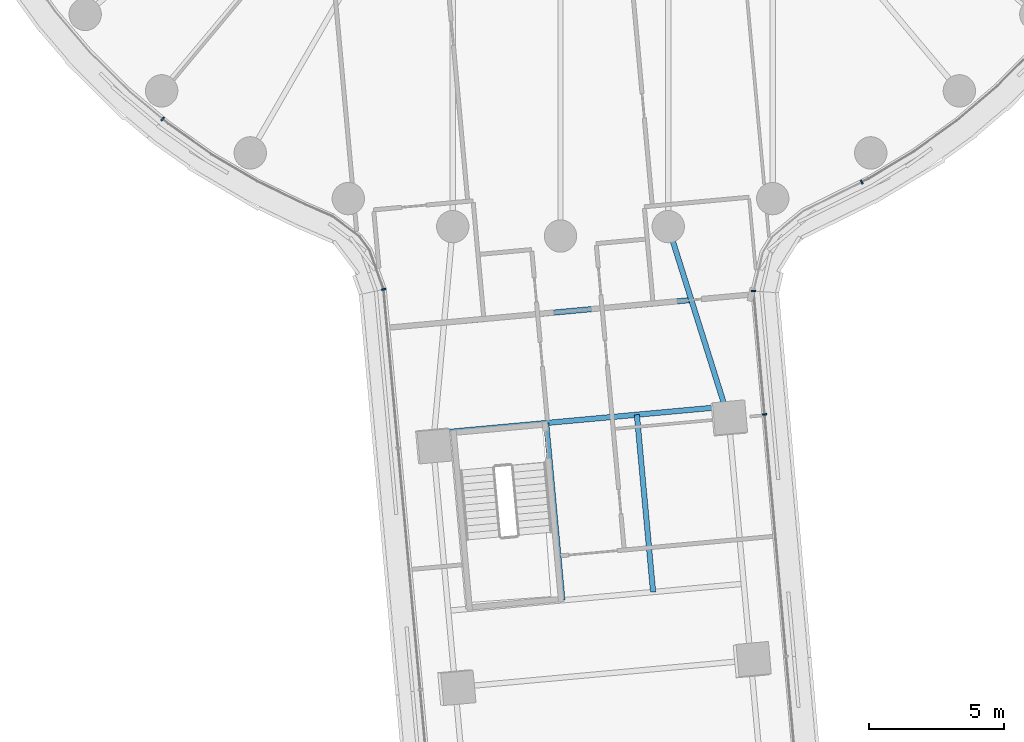
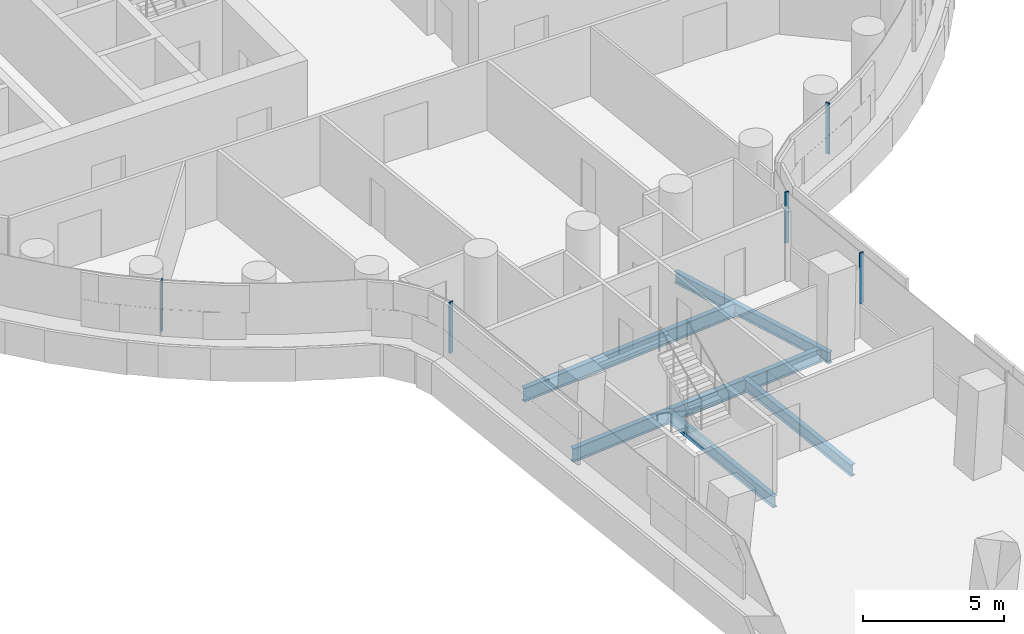
# One storey, part 3 of 31: 5 beams, 5 members, 4 elements without a shape of their own.
"""IFC4 building model written with IfcOpenShell, lengths in metres."""

import ifcopenshell
import ifcopenshell.guid

model = None  # the IFC model being written
_history = None  # IfcOwnerHistory: only IFC2X3 demands one
_inside = {}  # id of a spatial element -> (the spatial element, [elements in it])
_under = {}  # id of a project, library or spatial element -> (it, [spatial elements below it])
_declared = {}  # id of a project -> (the project, [libraries it declares])
_typed = {}  # id of a type object -> (the type object, [elements of that type])
_made_of = {}  # id of a material, layer set ... -> (it, [elements and type objects made of it])


def new_model(schema):
    """Start an empty IFC model of exactly this schema.

    Asked for "IFC4X3", IfcOpenShell would pick the latest addendum, in which some entities
    have other attributes; the version numbers below select the first issue.
    IFC2X3 requires an IfcOwnerHistory on every rooted entity: one is made here for all.
    """
    global model, _history
    if schema == "IFC4X3":
        model = ifcopenshell.file(schema_version=(4, 3, 0, 0))
    else:
        model = ifcopenshell.file(schema=schema)
    _inside.clear()
    _under.clear()
    _declared.clear()
    _typed.clear()
    _made_of.clear()
    _history = None
    if model.schema == "IFC2X3":
        org = make("IfcOrganization", Name="unknown")
        user = make(
            "IfcPersonAndOrganization",
            ThePerson=make("IfcPerson", FamilyName="unknown"),
            TheOrganization=org,
        )
        app = make(
            "IfcApplication",
            ApplicationDeveloper=org,
            Version="unknown",
            ApplicationFullName="unknown",
            ApplicationIdentifier="unknown",
        )
        _history = make(
            "IfcOwnerHistory",
            OwningUser=user,
            OwningApplication=app,
            ChangeAction="ADDED",
            CreationDate=0,
        )
    return model


def make(cls, **values):
    """One entity of the class cls with the attributes given. An attribute that is None is left unset."""
    return model.create_entity(
        cls, **{name: value for name, value in values.items() if value is not None}
    )


def rooted(cls, **values):
    """An entity with a GlobalId (a new one), such as an element, a storey or a relation."""
    return make(cls, GlobalId=ifcopenshell.guid.new(), OwnerHistory=_history, **values)


def si_unit(unit_type, name, prefix=None):
    """IfcSIUnit, for example si_unit("LENGTHUNIT", "METRE", prefix="MILLI")."""
    return make("IfcSIUnit", UnitType=unit_type, Prefix=prefix, Name=name)


def assignment(units):
    """IfcUnitAssignment: the units of a project."""
    return None if units is None else make("IfcUnitAssignment", Units=units)


def point(xyz):
    """IfcCartesianPoint."""
    return None if xyz is None else make("IfcCartesianPoint", Coordinates=xyz)


def direction(xyz):
    """IfcDirection."""
    return None if xyz is None else make("IfcDirection", DirectionRatios=xyz)


def frame(location, z_axis=None, x_axis=None):
    """IfcAxis2Placement3D, a coordinate frame: its origin and axes. An axis left out is left unset."""
    return make(
        "IfcAxis2Placement3D",
        Location=point(location),
        Axis=direction(z_axis),
        RefDirection=direction(x_axis),
    )


def frame_2d(location, x_axis=None):
    """IfcAxis2Placement2D, a coordinate frame in the plane: its origin and x axis."""
    return make(
        "IfcAxis2Placement2D", Location=point(location), RefDirection=direction(x_axis)
    )


def origin():
    """The frame at (0, 0, 0) with its axes left unset."""
    return frame((0.0, 0.0, 0.0))


def origin_2d():
    """The frame at (0, 0) in the plane with its x axis left unset."""
    return frame_2d((0.0, 0.0))


def place(relative_to, where):
    """IfcLocalPlacement: puts the frame where relative to a parent placement (None: the world)."""
    return make(
        "IfcLocalPlacement", PlacementRelTo=relative_to, RelativePlacement=where
    )


def context(
    kind, dimensions, precision=None, world=None, true_north=None, identifier=None
):
    """IfcGeometricRepresentationContext, for example the 3D "Model" context."""
    return make(
        "IfcGeometricRepresentationContext",
        ContextIdentifier=identifier,
        ContextType=kind,
        CoordinateSpaceDimension=dimensions,
        Precision=precision,
        WorldCoordinateSystem=world,
        TrueNorth=true_north,
    )


def subcontext(parent, identifier, kind, view, scale=None):
    """IfcGeometricRepresentationSubContext, for example "Body" below "Model"."""
    return make(
        "IfcGeometricRepresentationSubContext",
        ContextIdentifier=identifier,
        ContextType=kind,
        ParentContext=parent,
        TargetScale=scale,
        TargetView=view,
    )


def project(units=None, contexts=None):
    """IfcProject with its units and contexts."""
    return rooted(
        "IfcProject",
        Name="project",
        RepresentationContexts=contexts,
        UnitsInContext=assignment(units),
    )


def spatial(cls, under=None, at=None, **own):
    """A site, building, storey or space (cls), placed at a placement, below another one or the project."""
    s = rooted(cls, ObjectPlacement=at, **own)
    if under is not None:
        _under.setdefault(under.id(), (under, []))[1].append(s)
    return s


def profile(cls, at=None, kind="AREA", **sizes):
    """A parametric profile (cls). Its sizes go by their IFC names, for example OverallWidth=200.0."""
    return make(cls, ProfileType=kind, Position=at, **sizes)


def rectangle(**sizes):
    """IfcRectangleProfileDef."""
    return profile("IfcRectangleProfileDef", **sizes)


def i_section(**sizes):
    """IfcIShapeProfileDef."""
    return profile("IfcIShapeProfileDef", **sizes)


def extrude(swept, where, along, depth):
    """IfcExtrudedAreaSolid: the profile swept, set in the frame where, extruded along a direction by depth."""
    return make(
        "IfcExtrudedAreaSolid",
        SweptArea=swept,
        Position=where,
        ExtrudedDirection=direction(along),
        Depth=depth,
    )


def shape(context_of_items, identifier, shape_type, items):
    """IfcShapeRepresentation: the items that make up one representation, for example the "Body"."""
    return make(
        "IfcShapeRepresentation",
        ContextOfItems=context_of_items,
        RepresentationIdentifier=identifier,
        RepresentationType=shape_type,
        Items=items,
    )


def material(Name=None, Category=None):
    """IfcMaterial."""
    return make("IfcMaterial", Name=Name, Category=Category)


def layer(
    of_material, thickness, ventilated=None, Name=None, Category=None, Priority=None
):
    """IfcMaterialLayer: one layer of a wall or slab, of a material (None: an air gap)."""
    return make(
        "IfcMaterialLayer",
        Material=of_material,
        LayerThickness=thickness,
        IsVentilated=ventilated,
        Name=Name,
        Category=Category,
        Priority=Priority,
    )


def layer_set(layers, Name=None):
    """IfcMaterialLayerSet."""
    return make("IfcMaterialLayerSet", MaterialLayers=layers, LayerSetName=Name)


def material_profile(
    of_material, cross_section, Name=None, Category=None, Priority=None
):
    """IfcMaterialProfile: a cross section and its material."""
    return make(
        "IfcMaterialProfile",
        Name=Name,
        Material=of_material,
        Profile=cross_section,
        Priority=Priority,
        Category=Category,
    )


def profile_set(profiles, Name=None, composite=None):
    """IfcMaterialProfileSet."""
    return make(
        "IfcMaterialProfileSet",
        Name=Name,
        MaterialProfiles=profiles,
        CompositeProfile=composite,
    )


def made_of(thing, what):
    """Note that an element or type object is made of a material, layer set ...; save() writes the relation."""
    if what is not None:
        _made_of.setdefault(what.id(), (what, []))[1].append(thing)
    return thing


def type_object(cls, material=None, **own):
    """A type object (cls), such as IfcWallType, which elements share."""
    return made_of(rooted(cls, **own), material)


def element(
    cls,
    number,
    at=None,
    inside=None,
    cuts=None,
    type_object=None,
    material=None,
    context=None,
    identifier="Body",
    shape_type=None,
    held_by="IfcProductDefinitionShape",
    body=None,
    shapes=None,
    **own,
):
    """One element of the class cls, such as IfcWall. Its Tag is "e" and its number.

    at: its placement. inside: the storey or other place that contains it. cuts: it is an
    opening in that element (IfcRelVoidsElement). A single representation is given by context,
    identifier, shape_type and body (its items); several are given by shapes. held_by: the class
    of the entity that holds the representations. save() writes the other relations.
    """
    e = rooted(cls, Tag="e%d" % number, ObjectPlacement=at, **own)
    if body is not None:
        shapes = [shape(context, identifier, shape_type, body)]
    if shapes is not None:
        e.Representation = make(held_by, Representations=shapes)
    if inside is not None:
        _inside.setdefault(inside.id(), (inside, []))[1].append(e)
    if cuts is not None:
        rooted(
            "IfcRelVoidsElement", RelatingBuildingElement=cuts, RelatedOpeningElement=e
        )
    if type_object is not None:
        _typed.setdefault(type_object.id(), (type_object, []))[1].append(e)
    return made_of(e, material)


def aggregate(whole, parts):
    """IfcRelAggregates: a whole, such as a stair, and the parts it consists of."""
    return rooted("IfcRelAggregates", RelatingObject=whole, RelatedObjects=parts)


def save(model, path):
    """Write the relations noted so far, then the file.

    IfcRelAggregates (storeys below a building ...), IfcRelContainedInSpatialStructure (elements
    in a storey), IfcRelDefinesByType, IfcRelAssociatesMaterial and IfcRelDeclares: one each for
    every whole, place, type object, material and project.
    """
    for whole, parts in _under.values():
        aggregate(whole, parts)
    for where, things in _inside.values():
        rooted(
            "IfcRelContainedInSpatialStructure",
            RelatedElements=things,
            RelatingStructure=where,
        )
    for kind, things in _typed.values():
        rooted("IfcRelDefinesByType", RelatedObjects=things, RelatingType=kind)
    for what, things in _made_of.values():
        rooted("IfcRelAssociatesMaterial", RelatedObjects=things, RelatingMaterial=what)
    for by, libraries in _declared.values():
        rooted("IfcRelDeclares", RelatingContext=by, RelatedDefinitions=libraries)
    model.write(path)


model = new_model("IFC4")

# Units and contexts
model_context = context("Model", 3, precision=1e-05, world=origin(), true_north=direction((0.0, 1.0)))
body_context = subcontext(model_context, "Body", "Model", "MODEL_VIEW")
ifc_project = project(units=[si_unit("LENGTHUNIT", "METRE"), si_unit("AREAUNIT", "SQUARE_METRE"), si_unit("VOLUMEUNIT", "CUBIC_METRE"), si_unit("PLANEANGLEUNIT", "RADIAN"), si_unit("MASSUNIT", "GRAM", prefix="KILO")], contexts=[model_context])

# Site, building, storey
site_placement = place(None, origin())
site = spatial("IfcSite", under=ifc_project, at=site_placement, CompositionType="ELEMENT")
building_placement = place(site_placement, origin())
building = spatial("IfcBuilding", under=site, at=building_placement, Name="Tamarind Cross Interchange Tower", CompositionType="ELEMENT")
storey_placement = place(building_placement, frame((0.0, 0.0, 52.75)))
storey = spatial("IfcBuildingStorey", under=building, at=storey_placement, Name="L11", CompositionType="ELEMENT", Elevation=52.75)

# Beams
ifc_material_1 = material(Name="Steel Q355B", Category="steel")
ifc_material_profile_1 = material_profile(ifc_material_1, i_section(OverallWidth=0.198974609375, OverallDepth=0.49609375, WebThickness=0.009033203125, FlangeThickness=0.013916015625, FilletRadius=0.012939453125, at=origin_2d()), Name="HN 496x199x9x14")
ifc_profile_set_1 = profile_set([ifc_material_profile_1], Name="Steel Q355B")
beam_type_1 = type_object("IfcBeamType", Name="Composite beam HN 496x199x9x14 Q355B", PredefinedType="BEAM", material=ifc_profile_set_1)
beam_1_placement = place(storey_placement, frame((6.23291015625, -29.7646484375, -0.387939453125), z_axis=(-0.300214725081, 0.953871646945, 0.0), x_axis=(-0.953871646945, -0.300214725081, 0.0)))
element("IfcBeam", 1, at=beam_1_placement, inside=storey, type_object=beam_type_1, Name="Beam S-linkep", PredefinedType="BEAM", context=body_context, shape_type="SweptSolid", body=[
    extrude(i_section(OverallWidth=0.198974609375, OverallDepth=0.49609375, WebThickness=0.009033203125, FlangeThickness=0.013916015625, FilletRadius=0.012939453125, at=origin_2d()), origin(), (0.0, 0.0, 1.0), 7.4580078125),
])
beam_2_placement = place(storey_placement, frame((-0.530029296875, -29.93115234375, -0.387939453125), z_axis=(0.091032675757, -0.99584790603, 0.0), x_axis=(0.99584790603, 0.091032675757, 0.0)))
element("IfcBeam", 2, at=beam_2_placement, inside=storey, type_object=beam_type_1, Name="Beam S-tr1", PredefinedType="BEAM", context=body_context, shape_type="SweptSolid", body=[
    extrude(i_section(OverallWidth=0.198974609375, OverallDepth=0.49609375, WebThickness=0.009033203125, FlangeThickness=0.013916015625, FilletRadius=0.012939453125, at=origin_2d()), origin(), (0.0, 0.0, 1.0), 6.60009765625),
])
beam_3_placement = place(storey_placement, frame((2.830810546875, -29.6240234375, -0.387939453125), z_axis=(0.091072713933, -0.99584424524, 0.0), x_axis=(0.99584424524, 0.091072713933, 0.0)))
element("IfcBeam", 3, at=beam_3_placement, inside=storey, type_object=beam_type_1, Name="Beam S-stripp", PredefinedType="BEAM", context=body_context, shape_type="SweptSolid", body=[
    extrude(i_section(OverallWidth=0.198974609375, OverallDepth=0.49609375, WebThickness=0.009033203125, FlangeThickness=0.013916015625, FilletRadius=0.012939453125, at=origin_2d()), origin(), (0.0, 0.0, 1.0), 6.599853515625),
])
ifc_material_profile_2 = material_profile(ifc_material_1, i_section(OverallWidth=0.199951171875, OverallDepth=0.60009765625, WebThickness=0.010986328125, FlangeThickness=0.01708984375, FilletRadius=0.012939453125, at=origin_2d()), Name="HN 600x200x11x17")
ifc_profile_set_2 = profile_set([ifc_material_profile_2], Name="Steel Q355B")
beam_type_2 = type_object("IfcBeamType", Name="Composite beam HN 600x200x11x17 Q355B", PredefinedType="BEAM", material=ifc_profile_set_2)
beam_4_placement = place(storey_placement, frame((-4.6806640625, -30.310791015625, -0.43994140625), z_axis=(0.995844980708, 0.091064671518, 0.0), x_axis=(-0.091064671518, 0.995844980708, 0.0)))
element("IfcBeam", 4, at=beam_4_placement, inside=storey, type_object=beam_type_2, Name="Beam S-x298", PredefinedType="BEAM", context=body_context, shape_type="SweptSolid", body=[
    extrude(i_section(OverallWidth=0.199951171875, OverallDepth=0.60009765625, WebThickness=0.010986328125, FlangeThickness=0.01708984375, FilletRadius=0.012939453125, at=origin_2d()), origin(), (0.0, 0.0, 1.0), 10.8203125),
])
beam_5_placement = place(storey_placement, frame((-4.31298828125, -26.210205078125, -0.43994140625), z_axis=(0.995845660591, 0.091057236296, 0.0), x_axis=(-0.091057236296, 0.995845660591, 0.0)))
element("IfcBeam", 5, at=beam_5_placement, inside=storey, type_object=beam_type_2, Name="Beam S-x258", PredefinedType="BEAM", context=body_context, shape_type="SweptSolid", body=[
    extrude(i_section(OverallWidth=0.199951171875, OverallDepth=0.60009765625, WebThickness=0.010986328125, FlangeThickness=0.01708984375, FilletRadius=0.012939453125, at=origin_2d()), origin(), (0.0, 0.0, 1.0), 9.201904296875),
])

# Curtain wall, member
ifc_material_2 = material(Name="Aluminium 6063-T6", Category="aluminium")
ifc_layer = layer(ifc_material_2, 0.159912109375)
ifc_layer_set = layer_set([ifc_layer], Name="Aluminium 6063-T6")
curtain_wall_type = type_object("IfcCurtainWallType", Name="Office curtain wall, 9.0 m bays", PredefinedType="NOTDEFINED", material=ifc_layer_set)
curtain_wall_1_placement = place(storey_placement, origin())
curtain_wall_1 = element("IfcCurtainWall", 6, at=curtain_wall_1_placement, inside=storey, type_object=curtain_wall_type, Name="CWS-L11-06", PredefinedType="NOTDEFINED")
ifc_material_profile_3 = material_profile(ifc_material_2, rectangle(XDim=0.06005859375, YDim=0.159912109375, at=origin_2d()), Name="Mullion CW1")
ifc_profile_set_3 = profile_set([ifc_material_profile_3], Name="Aluminium 6063-T6")
member_type = type_object("IfcMemberType", Name="Mullion CW1", PredefinedType="MULLION", material=ifc_profile_set_3)
member_1_placement = place(storey_placement, frame((-14.75, -18.66015625, 1.39990234375), z_axis=(0.0, 0.0, 1.0), x_axis=(0.765858396687, -0.643009266048, 0.0)))
member_1 = element("IfcMember", 7, at=member_1_placement, type_object=member_type, Name="CWM-L11-06-02", PredefinedType="MULLION", context=body_context, shape_type="SweptSolid", body=[
    extrude(rectangle(XDim=0.06005859375, YDim=0.159912109375, at=origin_2d()), origin(), (0.0, 0.0, 1.0), 2.210205078125),
])
aggregate(curtain_wall_1, [member_1])

curtain_wall_2_placement = place(storey_placement, origin())
curtain_wall_2 = element("IfcCurtainWall", 8, at=curtain_wall_2_placement, inside=storey, type_object=curtain_wall_type, Name="CWS-L11-07", PredefinedType="NOTDEFINED")
member_2_placement = place(storey_placement, frame((-6.55615234375, -24.9765625, 1.39990234375), z_axis=(0.0, 0.0, 1.0), x_axis=(0.21525062077, -0.976558841165, 0.0)))
member_2 = element("IfcMember", 9, at=member_2_placement, type_object=member_type, Name="CWM-L11-07-00", PredefinedType="MULLION", context=body_context, shape_type="SweptSolid", body=[
    extrude(rectangle(XDim=0.06005859375, YDim=0.159912109375, at=origin_2d()), origin(), (0.0, 0.0, 1.0), 2.210205078125),
])
aggregate(curtain_wall_2, [member_2])

curtain_wall_3_placement = place(storey_placement, origin())
curtain_wall_3 = element("IfcCurtainWall", 10, at=curtain_wall_3_placement, inside=storey, type_object=curtain_wall_type, Name="CWS-L11-09", PredefinedType="NOTDEFINED")
member_3_placement = place(storey_placement, frame((7.56494140625, -29.611572265625, 1.39990234375), z_axis=(0.0, 0.0, 1.0), x_axis=(-0.088684340968, 0.996059781171, 0.0)))
member_3 = element("IfcMember", 11, at=member_3_placement, type_object=member_type, Name="CWM-L11-09-02", PredefinedType="MULLION", context=body_context, shape_type="SweptSolid", body=[
    extrude(rectangle(XDim=0.06005859375, YDim=0.159912109375, at=origin_2d()), origin(), (0.0, 0.0, 1.0), 2.210205078125),
])
aggregate(curtain_wall_3, [member_3])

# Curtain wall, members
curtain_wall_4_placement = place(storey_placement, origin())
curtain_wall_4 = element("IfcCurtainWall", 12, at=curtain_wall_4_placement, inside=storey, type_object=curtain_wall_type, Name="CWS-L11-10", PredefinedType="NOTDEFINED")
member_4_placement = place(storey_placement, frame((7.15771484375, -25.0390625, 1.39990234375), z_axis=(0.0, 0.0, 1.0), x_axis=(0.071193920923, 0.997462493342, 0.0)))
member_4 = element("IfcMember", 13, at=member_4_placement, type_object=member_type, Name="CWM-L11-10-00", PredefinedType="MULLION", context=body_context, shape_type="SweptSolid", body=[
    extrude(rectangle(XDim=0.06005859375, YDim=0.159912109375, at=origin_2d()), origin(), (0.0, 0.0, 1.0), 2.210205078125),
])
member_5_placement = place(storey_placement, frame((11.166259765625, -21.001953125, 1.39990234375), z_axis=(0.0, 0.0, 1.0), x_axis=(0.896492548518, 0.443058811505, 0.0)))
member_5 = element("IfcMember", 14, at=member_5_placement, type_object=member_type, Name="CWM-L11-10-01", PredefinedType="MULLION", context=body_context, shape_type="SweptSolid", body=[
    extrude(rectangle(XDim=0.06005859375, YDim=0.159912109375, at=origin_2d()), origin(), (0.0, 0.0, 1.0), 2.210205078125),
])
aggregate(curtain_wall_4, [member_4, member_5])

save(model, "model.ifc")
